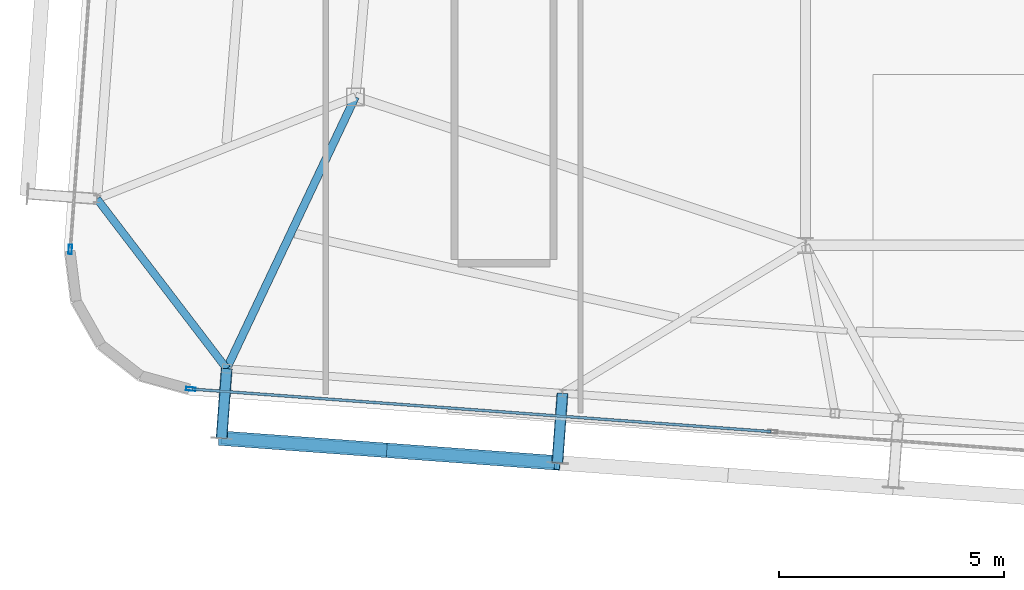
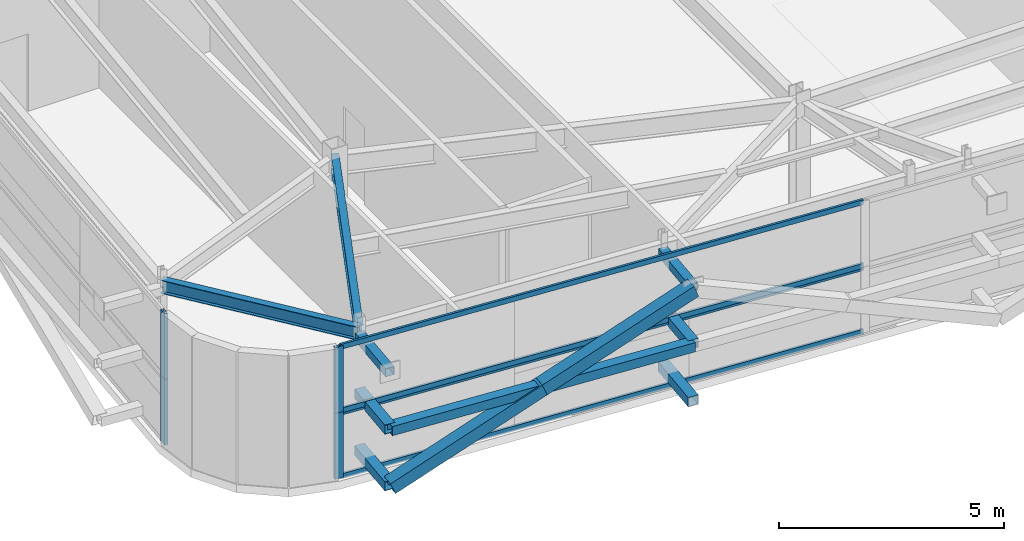
# One storey, part 9 of 35: 17 members, 2 beams, 4 elements without a shape of their own.
"""IFC4 building model written with IfcOpenShell, lengths in metres."""

import ifcopenshell
import ifcopenshell.guid

model = None  # the IFC model being written
_history = None  # IfcOwnerHistory: only IFC2X3 demands one
_inside = {}  # id of a spatial element -> (the spatial element, [elements in it])
_under = {}  # id of a project, library or spatial element -> (it, [spatial elements below it])
_declared = {}  # id of a project -> (the project, [libraries it declares])
_typed = {}  # id of a type object -> (the type object, [elements of that type])
_made_of = {}  # id of a material, layer set ... -> (it, [elements and type objects made of it])


def new_model(schema):
    """Start an empty IFC model of exactly this schema.

    Asked for "IFC4X3", IfcOpenShell would pick the latest addendum, in which some entities
    have other attributes; the version numbers below select the first issue.
    IFC2X3 requires an IfcOwnerHistory on every rooted entity: one is made here for all.
    """
    global model, _history
    if schema == "IFC4X3":
        model = ifcopenshell.file(schema_version=(4, 3, 0, 0))
    else:
        model = ifcopenshell.file(schema=schema)
    _inside.clear()
    _under.clear()
    _declared.clear()
    _typed.clear()
    _made_of.clear()
    _history = None
    if model.schema == "IFC2X3":
        org = make("IfcOrganization", Name="unknown")
        user = make(
            "IfcPersonAndOrganization",
            ThePerson=make("IfcPerson", FamilyName="unknown"),
            TheOrganization=org,
        )
        app = make(
            "IfcApplication",
            ApplicationDeveloper=org,
            Version="unknown",
            ApplicationFullName="unknown",
            ApplicationIdentifier="unknown",
        )
        _history = make(
            "IfcOwnerHistory",
            OwningUser=user,
            OwningApplication=app,
            ChangeAction="ADDED",
            CreationDate=0,
        )
    return model


def make(cls, **values):
    """One entity of the class cls with the attributes given. An attribute that is None is left unset."""
    return model.create_entity(
        cls, **{name: value for name, value in values.items() if value is not None}
    )


def rooted(cls, **values):
    """An entity with a GlobalId (a new one), such as an element, a storey or a relation."""
    return make(cls, GlobalId=ifcopenshell.guid.new(), OwnerHistory=_history, **values)


def si_unit(unit_type, name, prefix=None):
    """IfcSIUnit, for example si_unit("LENGTHUNIT", "METRE", prefix="MILLI")."""
    return make("IfcSIUnit", UnitType=unit_type, Prefix=prefix, Name=name)


def assignment(units):
    """IfcUnitAssignment: the units of a project."""
    return None if units is None else make("IfcUnitAssignment", Units=units)


def point(xyz):
    """IfcCartesianPoint."""
    return None if xyz is None else make("IfcCartesianPoint", Coordinates=xyz)


def direction(xyz):
    """IfcDirection."""
    return None if xyz is None else make("IfcDirection", DirectionRatios=xyz)


def frame(location, z_axis=None, x_axis=None):
    """IfcAxis2Placement3D, a coordinate frame: its origin and axes. An axis left out is left unset."""
    return make(
        "IfcAxis2Placement3D",
        Location=point(location),
        Axis=direction(z_axis),
        RefDirection=direction(x_axis),
    )


def frame_2d(location, x_axis=None):
    """IfcAxis2Placement2D, a coordinate frame in the plane: its origin and x axis."""
    return make(
        "IfcAxis2Placement2D", Location=point(location), RefDirection=direction(x_axis)
    )


def origin():
    """The frame at (0, 0, 0) with its axes left unset."""
    return frame((0.0, 0.0, 0.0))


def origin_2d():
    """The frame at (0, 0) in the plane with its x axis left unset."""
    return frame_2d((0.0, 0.0))


def place(relative_to, where):
    """IfcLocalPlacement: puts the frame where relative to a parent placement (None: the world)."""
    return make(
        "IfcLocalPlacement", PlacementRelTo=relative_to, RelativePlacement=where
    )


def context(
    kind, dimensions, precision=None, world=None, true_north=None, identifier=None
):
    """IfcGeometricRepresentationContext, for example the 3D "Model" context."""
    return make(
        "IfcGeometricRepresentationContext",
        ContextIdentifier=identifier,
        ContextType=kind,
        CoordinateSpaceDimension=dimensions,
        Precision=precision,
        WorldCoordinateSystem=world,
        TrueNorth=true_north,
    )


def subcontext(parent, identifier, kind, view, scale=None):
    """IfcGeometricRepresentationSubContext, for example "Body" below "Model"."""
    return make(
        "IfcGeometricRepresentationSubContext",
        ContextIdentifier=identifier,
        ContextType=kind,
        ParentContext=parent,
        TargetScale=scale,
        TargetView=view,
    )


def project(units=None, contexts=None):
    """IfcProject with its units and contexts."""
    return rooted(
        "IfcProject",
        Name="project",
        RepresentationContexts=contexts,
        UnitsInContext=assignment(units),
    )


def spatial(cls, under=None, at=None, **own):
    """A site, building, storey or space (cls), placed at a placement, below another one or the project."""
    s = rooted(cls, ObjectPlacement=at, **own)
    if under is not None:
        _under.setdefault(under.id(), (under, []))[1].append(s)
    return s


def profile(cls, at=None, kind="AREA", **sizes):
    """A parametric profile (cls). Its sizes go by their IFC names, for example OverallWidth=200.0."""
    return make(cls, ProfileType=kind, Position=at, **sizes)


def hollow_rectangle(**sizes):
    """IfcRectangleHollowProfileDef."""
    return profile("IfcRectangleHollowProfileDef", **sizes)


def i_section(**sizes):
    """IfcIShapeProfileDef."""
    return profile("IfcIShapeProfileDef", **sizes)


def extrude(swept, where, along, depth):
    """IfcExtrudedAreaSolid: the profile swept, set in the frame where, extruded along a direction by depth."""
    return make(
        "IfcExtrudedAreaSolid",
        SweptArea=swept,
        Position=where,
        ExtrudedDirection=direction(along),
        Depth=depth,
    )


def shape(context_of_items, identifier, shape_type, items):
    """IfcShapeRepresentation: the items that make up one representation, for example the "Body"."""
    return make(
        "IfcShapeRepresentation",
        ContextOfItems=context_of_items,
        RepresentationIdentifier=identifier,
        RepresentationType=shape_type,
        Items=items,
    )


def source(mapping_origin, context_of_items, identifier, shape_type, items):
    """IfcRepresentationMap: a shape defined once, which mapped items show again and again."""
    return make(
        "IfcRepresentationMap",
        MappingOrigin=mapping_origin,
        MappedRepresentation=shape(context_of_items, identifier, shape_type, items),
    )


def transform(
    local_origin,
    x_axis=None,
    y_axis=None,
    z_axis=None,
    scale=None,
    scale2=None,
    scale3=None,
    uniform=True,
):
    """IfcCartesianTransformationOperator3D, or its non-uniform kind. x_axis, y_axis, z_axis: its Axis1, 2, 3."""
    if uniform:
        return make(
            "IfcCartesianTransformationOperator3D",
            Axis1=direction(x_axis),
            Axis2=direction(y_axis),
            LocalOrigin=point(local_origin),
            Scale=scale,
            Axis3=direction(z_axis),
        )
    return make(
        "IfcCartesianTransformationOperator3DnonUniform",
        Axis1=direction(x_axis),
        Axis2=direction(y_axis),
        LocalOrigin=point(local_origin),
        Scale=scale,
        Axis3=direction(z_axis),
        Scale2=scale2,
        Scale3=scale3,
    )


def mapped(mapping_source, mapping_target):
    """IfcMappedItem: shows the shape of a source again, moved by a transform."""
    return make(
        "IfcMappedItem", MappingSource=mapping_source, MappingTarget=mapping_target
    )


def material(Name=None, Category=None):
    """IfcMaterial."""
    return make("IfcMaterial", Name=Name, Category=Category)


def layer(
    of_material, thickness, ventilated=None, Name=None, Category=None, Priority=None
):
    """IfcMaterialLayer: one layer of a wall or slab, of a material (None: an air gap)."""
    return make(
        "IfcMaterialLayer",
        Material=of_material,
        LayerThickness=thickness,
        IsVentilated=ventilated,
        Name=Name,
        Category=Category,
        Priority=Priority,
    )


def layer_set(layers, Name=None):
    """IfcMaterialLayerSet."""
    return make("IfcMaterialLayerSet", MaterialLayers=layers, LayerSetName=Name)


def material_profile(
    of_material, cross_section, Name=None, Category=None, Priority=None
):
    """IfcMaterialProfile: a cross section and its material."""
    return make(
        "IfcMaterialProfile",
        Name=Name,
        Material=of_material,
        Profile=cross_section,
        Priority=Priority,
        Category=Category,
    )


def profile_set(profiles, Name=None, composite=None):
    """IfcMaterialProfileSet."""
    return make(
        "IfcMaterialProfileSet",
        Name=Name,
        MaterialProfiles=profiles,
        CompositeProfile=composite,
    )


def made_of(thing, what):
    """Note that an element or type object is made of a material, layer set ...; save() writes the relation."""
    if what is not None:
        _made_of.setdefault(what.id(), (what, []))[1].append(thing)
    return thing


def type_object(cls, material=None, **own):
    """A type object (cls), such as IfcWallType, which elements share."""
    return made_of(rooted(cls, **own), material)


def element(
    cls,
    number,
    at=None,
    inside=None,
    cuts=None,
    type_object=None,
    material=None,
    context=None,
    identifier="Body",
    shape_type=None,
    held_by="IfcProductDefinitionShape",
    body=None,
    shapes=None,
    **own,
):
    """One element of the class cls, such as IfcWall. Its Tag is "e" and its number.

    at: its placement. inside: the storey or other place that contains it. cuts: it is an
    opening in that element (IfcRelVoidsElement). A single representation is given by context,
    identifier, shape_type and body (its items); several are given by shapes. held_by: the class
    of the entity that holds the representations. save() writes the other relations.
    """
    e = rooted(cls, Tag="e%d" % number, ObjectPlacement=at, **own)
    if body is not None:
        shapes = [shape(context, identifier, shape_type, body)]
    if shapes is not None:
        e.Representation = make(held_by, Representations=shapes)
    if inside is not None:
        _inside.setdefault(inside.id(), (inside, []))[1].append(e)
    if cuts is not None:
        rooted(
            "IfcRelVoidsElement", RelatingBuildingElement=cuts, RelatedOpeningElement=e
        )
    if type_object is not None:
        _typed.setdefault(type_object.id(), (type_object, []))[1].append(e)
    return made_of(e, material)


def aggregate(whole, parts):
    """IfcRelAggregates: a whole, such as a stair, and the parts it consists of."""
    return rooted("IfcRelAggregates", RelatingObject=whole, RelatedObjects=parts)


def save(model, path):
    """Write the relations noted so far, then the file.

    IfcRelAggregates (storeys below a building ...), IfcRelContainedInSpatialStructure (elements
    in a storey), IfcRelDefinesByType, IfcRelAssociatesMaterial and IfcRelDeclares: one each for
    every whole, place, type object, material and project.
    """
    for whole, parts in _under.values():
        aggregate(whole, parts)
    for where, things in _inside.values():
        rooted(
            "IfcRelContainedInSpatialStructure",
            RelatedElements=things,
            RelatingStructure=where,
        )
    for kind, things in _typed.values():
        rooted("IfcRelDefinesByType", RelatedObjects=things, RelatingType=kind)
    for what, things in _made_of.values():
        rooted("IfcRelAssociatesMaterial", RelatedObjects=things, RelatingMaterial=what)
    for by, libraries in _declared.values():
        rooted("IfcRelDeclares", RelatingContext=by, RelatedDefinitions=libraries)
    model.write(path)


model = new_model("IFC4")

# Units and contexts
model_context = context("Model", 3, precision=1e-05, world=origin(), true_north=direction((0.0, 1.0)))
body_context = subcontext(model_context, "Body", "Model", "MODEL_VIEW")
ifc_project = project(units=[si_unit("LENGTHUNIT", "METRE"), si_unit("AREAUNIT", "SQUARE_METRE"), si_unit("VOLUMEUNIT", "CUBIC_METRE"), si_unit("PLANEANGLEUNIT", "RADIAN"), si_unit("MASSUNIT", "GRAM", prefix="KILO")], contexts=[model_context])

# Site, building, storey
site_placement = place(None, origin())
site = spatial("IfcSite", under=ifc_project, at=site_placement, CompositionType="ELEMENT")
building_placement = place(site_placement, origin())
building = spatial("IfcBuilding", under=site, at=building_placement, Name="Taldren Reach Tower", CompositionType="ELEMENT")
storey_placement = place(building_placement, frame((0.0, 0.0, 249.199951171875)))
storey = spatial("IfcBuildingStorey", under=building, at=storey_placement, Name="L76", CompositionType="ELEMENT", Elevation=249.199951171875)

# Members
ifc_material_1 = material(Name="Steel Gr 350 (C350L0)", Category="steel")
ifc_material_profile_1 = material_profile(ifc_material_1, hollow_rectangle(XDim=0.25, YDim=0.25, WallThickness=0.010009765625, at=origin_2d()), Name="250x250x10.0SHS")
ifc_profile_set_1 = profile_set([ifc_material_profile_1], Name="Steel Gr 350 (C350L0)")
member_type_1 = type_object("IfcMemberType", Name="MB-POST250", PredefinedType="POST", material=ifc_profile_set_1)
shared_shape_1 = source(origin(), body_context, "Body", "SweptSolid", [
    extrude(hollow_rectangle(XDim=0.25, YDim=0.25, WallThickness=0.010009765625, at=origin_2d()), origin(), (0.0, 0.0, 1.0), 1.5498046875),
])
for number, where, z_axis, x_axis, name in (
    (1, (22.6005859375, 5.912353515625, 0.219970703125), (-0.073250797913, -0.997313551801, 0.0), (0.997313551801, -0.073250797913, 0.0), "Exoskeleton base diaphragm tie strut B5-S2 L76"),
    (2, (22.6005859375, 5.912353515625, 1.755126953125), (-0.073250797913, -0.997313551801, 0.0), (0.997313551801, -0.073250797913, 0.0), "Exoskeleton mid-tier diaphragm tie B5-S2 L76"),
):
    element("IfcMember", number, at=place(storey_placement, frame(where, z_axis=z_axis, x_axis=x_axis)), inside=storey, type_object=member_type_1, Name=name, PredefinedType="POST", context=body_context, shape_type="MappedRepresentation", body=[
        mapped(shared_shape_1, transform((0.0, 0.0, 0.0), scale=1.0)),
    ])
shared_shape_2 = source(origin(), body_context, "Body", "SweptSolid", [
    extrude(hollow_rectangle(XDim=0.25, YDim=0.25, WallThickness=0.010009765625, at=origin_2d()), origin(), (0.0, 0.0, 1.0), 1.550048828125),
])
for number, where, z_axis, x_axis, name in (
    (3, (15.140625, 6.460205078125, 0.219970703125), (-0.07323929162, -0.997314396849, 0.0), (0.997314396849, -0.07323929162, 0.0), "Exoskeleton base diaphragm tie strut B5-S1 L76"),
    (4, (15.140625, 6.460205078125, 1.755126953125), (-0.07323929162, -0.997314396849, 0.0), (0.997314396849, -0.07323929162, 0.0), "Exoskeleton mid-tier diaphragm tie B5-S1 L76"),
):
    element("IfcMember", number, at=place(storey_placement, frame(where, z_axis=z_axis, x_axis=x_axis)), inside=storey, type_object=member_type_1, Name=name, PredefinedType="POST", context=body_context, shape_type="MappedRepresentation", body=[
        mapped(shared_shape_2, transform((0.0, 0.0, 0.0), scale=1.0)),
    ])
ifc_material_2 = material(Name="Steel Gr 450 (C450L0)", Category="steel")
ifc_material_profile_2 = material_profile(ifc_material_2, hollow_rectangle(XDim=0.219970703125, YDim=0.219970703125, WallThickness=0.00830078125, at=origin_2d()), Name="220x220x8.2SHS")
ifc_profile_set_2 = profile_set([ifc_material_profile_2], Name="Steel Gr 450 (C450L0)")
member_type_2 = type_object("IfcMemberType", Name="MB-TIE219", PredefinedType="STRUT", material=ifc_profile_set_2)
shared_shape_3 = source(origin(), body_context, "Body", "SweptSolid", [
    extrude(hollow_rectangle(XDim=0.219970703125, YDim=0.219970703125, WallThickness=0.00830078125, at=origin_2d()), origin(), (0.0, 0.0, 1.0), 1.5498046875),
])
member_1_placement = place(storey_placement, frame((22.6005859375, 5.912353515625, 3.2900390625), z_axis=(-0.073250797913, -0.997313551801, 0.0), x_axis=(0.997313551801, -0.073250797913, 0.0)))
element("IfcMember", 5, at=member_1_placement, inside=storey, type_object=member_type_2, Name="Exoskeleton diaphragm tie strut B5-S2 L76", PredefinedType="STRUT", context=body_context, shape_type="MappedRepresentation", body=[
    mapped(shared_shape_3, transform((0.0, 0.0, 0.0), scale=1.0)),
])
shared_shape_4 = source(origin(), body_context, "Body", "SweptSolid", [
    extrude(hollow_rectangle(XDim=0.219970703125, YDim=0.219970703125, WallThickness=0.00830078125, at=origin_2d()), origin(), (0.0, 0.0, 1.0), 1.550048828125),
])
member_2_placement = place(storey_placement, frame((15.140625, 6.460205078125, 3.2900390625), z_axis=(-0.07323929162, -0.997314396849, 0.0), x_axis=(0.997314396849, -0.07323929162, 0.0)))
element("IfcMember", 6, at=member_2_placement, inside=storey, type_object=member_type_2, Name="Exoskeleton diaphragm tie strut B5-S1 L76", PredefinedType="STRUT", context=body_context, shape_type="MappedRepresentation", body=[
    mapped(shared_shape_4, transform((0.0, 0.0, 0.0), scale=1.0)),
])

# Beams
ifc_material_3 = material(Name="Steel Gr 350 (350PLUS)", Category="steel")
ifc_material_profile_3 = material_profile(ifc_material_3, i_section(OverallWidth=0.172119140625, OverallDepth=0.35888671875, WebThickness=0.008056640625, FlangeThickness=0.012939453125, at=origin_2d()), Name="360UB56.7")
ifc_profile_set_3 = profile_set([ifc_material_profile_3], Name="Steel Gr 350 (350PLUS)")
beam_type_1 = type_object("IfcBeamType", Name="SP-UB360", PredefinedType="SPANDREL", material=ifc_profile_set_3)
shared_shape_5 = source(origin(), body_context, "Body", "SweptSolid", [
    extrude(i_section(OverallWidth=0.172119140625, OverallDepth=0.35888671875, WebThickness=0.008056640625, FlangeThickness=0.012939453125, at=origin_2d()), origin(), (0.0, 0.0, 1.0), 4.74609375),
])
beam_1_placement = place(storey_placement, frame((12.259033203125, 10.2314453125, 3.390625), z_axis=(0.607144568334, -0.794591387533, 0.0), x_axis=(0.794591387533, 0.607144568334, 0.0)))
element("IfcBeam", 7, at=beam_1_placement, inside=storey, type_object=beam_type_1, Name="Perimeter spandrel B5 W1-S1 L76", PredefinedType="SPANDREL", context=body_context, shape_type="MappedRepresentation", body=[
    mapped(shared_shape_5, transform((0.0, 0.0, 0.0), scale=1.0)),
])
ifc_material_profile_4 = material_profile(ifc_material_3, i_section(OverallWidth=0.177978515625, OverallDepth=0.406005859375, WebThickness=0.0078125, FlangeThickness=0.0126953125, at=origin_2d()), Name="410UB59.7")
ifc_profile_set_4 = profile_set([ifc_material_profile_4], Name="Steel Gr 350 (350PLUS)")
beam_type_2 = type_object("IfcBeamType", Name="BM-UB410", PredefinedType="BEAM", material=ifc_profile_set_4)
shared_shape_6 = source(origin(), body_context, "Body", "SweptSolid", [
    extrude(i_section(OverallWidth=0.177978515625, OverallDepth=0.406005859375, WebThickness=0.0078125, FlangeThickness=0.0126953125, at=origin_2d()), origin(), (0.0, 0.0, 1.0), 6.682373046875),
])
beam_2_placement = place(storey_placement, frame((18.0, 12.5, 3.366943359375), z_axis=(-0.427893164494, -0.903829320049, 0.0), x_axis=(0.903829320049, -0.427893164494, 0.0)))
element("IfcBeam", 8, at=beam_2_placement, inside=storey, type_object=beam_type_2, Name="Primary floor girder B5-S1 L76", PredefinedType="BEAM", context=body_context, shape_type="MappedRepresentation", body=[
    mapped(shared_shape_6, transform((0.0, 0.0, 0.0), scale=1.0)),
])

# Members
shared_shape_7 = source(origin(), body_context, "Body", "SweptSolid", [
    extrude(hollow_rectangle(XDim=0.25, YDim=0.25, WallThickness=0.010009765625, at=origin_2d()), origin(), (0.0, 0.0, 1.0), 7.47998046875),
])
member_3_placement = place(storey_placement, frame((15.027099609375, 4.914306640625, 1.755126953125), z_axis=(0.997316604227, -0.0732092271, 0.0), x_axis=(0.0732092271, 0.997316604227, 0.0)))
element("IfcMember", 9, at=member_3_placement, inside=storey, type_object=member_type_1, Name="Exoskeleton mid-height ring chord B5-S1 L76", PredefinedType="POST", context=body_context, shape_type="MappedRepresentation", body=[
    mapped(shared_shape_7, transform((0.0, 0.0, 0.0), scale=1.0)),
])
ifc_material_profile_5 = material_profile(ifc_material_2, hollow_rectangle(XDim=0.324951171875, YDim=0.324951171875, WallThickness=0.0126953125, at=origin_2d()), Name="325x325x12.7SHS")
ifc_profile_set_5 = profile_set([ifc_material_profile_5], Name="Steel Gr 450 (C450L0)")
member_type_3 = type_object("IfcMemberType", Name="MB-BR324", PredefinedType="BRACE", material=ifc_profile_set_5)
shared_shape_8 = source(origin(), body_context, "Body", "SweptSolid", [
    extrude(hollow_rectangle(XDim=0.324951171875, YDim=0.324951171875, WallThickness=0.0126953125, at=origin_2d()), origin(), (0.0, 0.0, 1.0), 4.042724609375),
])
for number, where, z_axis, x_axis, name in (
    (10, (15.027099609375, 4.914306640625, 0.219970703125), (0.922615641565, -0.067755907176, 0.37972294503), (0.07324169103, 0.997314220642, 0.0), "Exoskeleton Diagrid Brace B5-S1 L76"),
    (11, (18.757080078125, 4.640380859375, 1.755126953125), (0.922640570667, -0.067697347802, 0.379672815014), (0.073176762938, 0.997318986767, 0.0), "Exoskeleton Diagrid Brace B5-S1 L76"),
):
    element("IfcMember", number, at=place(storey_placement, frame(where, z_axis=z_axis, x_axis=x_axis)), inside=storey, type_object=member_type_3, Name=name, PredefinedType="BRACE", context=body_context, shape_type="MappedRepresentation", body=[
        mapped(shared_shape_8, transform((0.0, 0.0, 0.0), scale=1.0)),
    ])

# Curtain wall, members
ifc_material_4 = material(Name="Aluminium and Low-E Glass Unitised System", Category="aluminium")
ifc_layer = layer(ifc_material_4, 0.159912109375)
ifc_layer_set = layer_set([ifc_layer], Name="Aluminium and Low-E Glass Unitised System")
curtain_wall_type = type_object("IfcCurtainWallType", Name="CW-SYS-6", PredefinedType="NOTDEFINED", material=ifc_layer_set)
curtain_wall_1_placement = place(storey_placement, origin())
curtain_wall_1 = element("IfcCurtainWall", 12, at=curtain_wall_1_placement, inside=storey, type_object=curtain_wall_type, Name="Unitised curtain wall CW-L76-S", PredefinedType="NOTDEFINED")
ifc_material_5 = material(Name="Anodised Aluminium 6063-T6", Category="aluminium")
ifc_material_profile_6 = material_profile(ifc_material_5, hollow_rectangle(XDim=0.06005859375, YDim=0.135009765625, WallThickness=0.00341796875, at=origin_2d()), Name="ALU-135x60x3.5RHS")
ifc_profile_set_6 = profile_set([ifc_material_profile_6], Name="Anodised Aluminium 6063-T6")
member_type_4 = type_object("IfcMemberType", Name="CW-TRN-150", PredefinedType="USERDEFINED", material=ifc_profile_set_6)
shared_shape_9 = source(origin(), body_context, "Body", "SweptSolid", [
    extrude(hollow_rectangle(XDim=0.06005859375, YDim=0.135009765625, WallThickness=0.00341796875, at=origin_2d()), origin(), (0.0, 0.0, 1.0), 12.887451171875),
])
member_4_placement = place(storey_placement, frame((14.38037109375, 6.004638671875, 0.030029296875), z_axis=(0.997314487101, -0.07323806263, 0.0), x_axis=(0.07323806263, 0.997314487101, 0.0)))
member_4 = element("IfcMember", 13, at=member_4_placement, type_object=member_type_4, Name="CW-6 transom 1.1", ObjectType="TRANSOM", PredefinedType="USERDEFINED", context=body_context, shape_type="MappedRepresentation", body=[
    mapped(shared_shape_9, transform((0.0, 0.0, 0.0), scale=1.0)),
])
member_5_placement = place(storey_placement, frame((14.38037109375, 6.004638671875, 1.755126953125), z_axis=(0.997314487101, -0.07323806263, 0.0), x_axis=(0.07323806263, 0.997314487101, 0.0)))
member_5 = element("IfcMember", 14, at=member_5_placement, type_object=member_type_4, Name="CW-6 transom 1.2", ObjectType="TRANSOM", PredefinedType="USERDEFINED", context=body_context, shape_type="MappedRepresentation", body=[
    mapped(shared_shape_9, transform((0.0, 0.0, 0.0), scale=1.0)),
])

curtain_wall_2_placement = place(storey_placement, origin())
curtain_wall_2 = element("IfcCurtainWall", 15, at=curtain_wall_2_placement, inside=storey, type_object=curtain_wall_type, Name="Unitised curtain wall CW-L76-S-T2", PredefinedType="NOTDEFINED")
member_6_placement = place(storey_placement, frame((14.38037109375, 6.004638671875, 1.81494140625), z_axis=(0.997314487101, -0.07323806263, 0.0), x_axis=(0.07323806263, 0.997314487101, 0.0)))
member_6 = element("IfcMember", 16, at=member_6_placement, type_object=member_type_4, Name="CW-6 transom 1.1", ObjectType="TRANSOM", PredefinedType="USERDEFINED", context=body_context, shape_type="MappedRepresentation", body=[
    mapped(shared_shape_9, transform((0.0, 0.0, 0.0), scale=1.0)),
])
member_7_placement = place(storey_placement, frame((14.38037109375, 6.004638671875, 3.5400390625), z_axis=(0.997314487101, -0.07323806263, 0.0), x_axis=(0.07323806263, 0.997314487101, 0.0)))
member_7 = element("IfcMember", 17, at=member_7_placement, type_object=member_type_4, Name="CW-6 transom 1.2", ObjectType="TRANSOM", PredefinedType="USERDEFINED", context=body_context, shape_type="MappedRepresentation", body=[
    mapped(shared_shape_9, transform((0.0, 0.0, 0.0), scale=1.0)),
])

# Member
ifc_material_profile_7 = material_profile(ifc_material_5, hollow_rectangle(XDim=0.074951171875, YDim=0.2099609375, WallThickness=0.00439453125, at=origin_2d()), Name="ALU-210x75x4.5RHS")
ifc_profile_set_7 = profile_set([ifc_material_profile_7], Name="Anodised Aluminium 6063-T6")
member_type_5 = type_object("IfcMemberType", Name="CW-MUL-200", PredefinedType="MULLION", material=ifc_profile_set_7)
shared_shape_10 = source(origin(), body_context, "Body", "SweptSolid", [
    extrude(hollow_rectangle(XDim=0.074951171875, YDim=0.2099609375, WallThickness=0.00439453125, at=origin_2d()), origin(), (0.0, 0.0, 1.0), 1.78515625),
])
member_8_placement = place(storey_placement, frame((14.3427734375, 6.007568359375, 0.0), z_axis=(0.0, 0.0, 1.0), x_axis=(0.073238213716, 0.997314476006, 0.0)))
member_8 = element("IfcMember", 18, at=member_8_placement, type_object=member_type_5, Name="CW-6 mullion 1", PredefinedType="MULLION", context=body_context, shape_type="MappedRepresentation", body=[
    mapped(shared_shape_10, transform((0.0, 0.0, 0.0), scale=1.0)),
])

aggregate(curtain_wall_1, [member_8, member_4, member_5])

# Curtain wall, member
curtain_wall_3_placement = place(storey_placement, origin())
curtain_wall_3 = element("IfcCurtainWall", 19, at=curtain_wall_3_placement, inside=storey, type_object=curtain_wall_type, Name="Unitised curtain wall CW-L76-W", PredefinedType="NOTDEFINED")
member_9_placement = place(storey_placement, frame((11.665283203125, 9.109375, 0.0), z_axis=(0.0, 0.0, 1.0), x_axis=(0.997314470951, -0.073238282558, 0.0)))
member_9 = element("IfcMember", 20, at=member_9_placement, type_object=member_type_5, Name="CW-6 mullion 3", PredefinedType="MULLION", context=body_context, shape_type="MappedRepresentation", body=[
    mapped(shared_shape_10, transform((0.0, 0.0, 0.0), scale=1.0)),
])
aggregate(curtain_wall_3, [member_9])

# Member
shared_shape_11 = source(origin(), body_context, "Body", "SweptSolid", [
    extrude(hollow_rectangle(XDim=0.074951171875, YDim=0.2099609375, WallThickness=0.00439453125, at=origin_2d()), origin(), (0.0, 0.0, 1.0), 1.784912109375),
])
member_10_placement = place(storey_placement, frame((14.3427734375, 6.007568359375, 1.78515625), z_axis=(0.0, 0.0, 1.0), x_axis=(0.073238213716, 0.997314476006, 0.0)))
member_10 = element("IfcMember", 21, at=member_10_placement, type_object=member_type_5, Name="CW-6 mullion 1", PredefinedType="MULLION", context=body_context, shape_type="MappedRepresentation", body=[
    mapped(shared_shape_11, transform((0.0, 0.0, 0.0), scale=1.0)),
])

aggregate(curtain_wall_2, [member_10, member_6, member_7])

# Curtain wall, member
curtain_wall_4_placement = place(storey_placement, origin())
curtain_wall_4 = element("IfcCurtainWall", 22, at=curtain_wall_4_placement, inside=storey, type_object=curtain_wall_type, Name="Unitised curtain wall CW-L76-W-T2", PredefinedType="NOTDEFINED")
member_11_placement = place(storey_placement, frame((11.665283203125, 9.109375, 1.78515625), z_axis=(0.0, 0.0, 1.0), x_axis=(0.997314470951, -0.073238282558, 0.0)))
member_11 = element("IfcMember", 23, at=member_11_placement, type_object=member_type_5, Name="CW-6 mullion 3", PredefinedType="MULLION", context=body_context, shape_type="MappedRepresentation", body=[
    mapped(shared_shape_11, transform((0.0, 0.0, 0.0), scale=1.0)),
])
aggregate(curtain_wall_4, [member_11])

save(model, "model.ifc")
